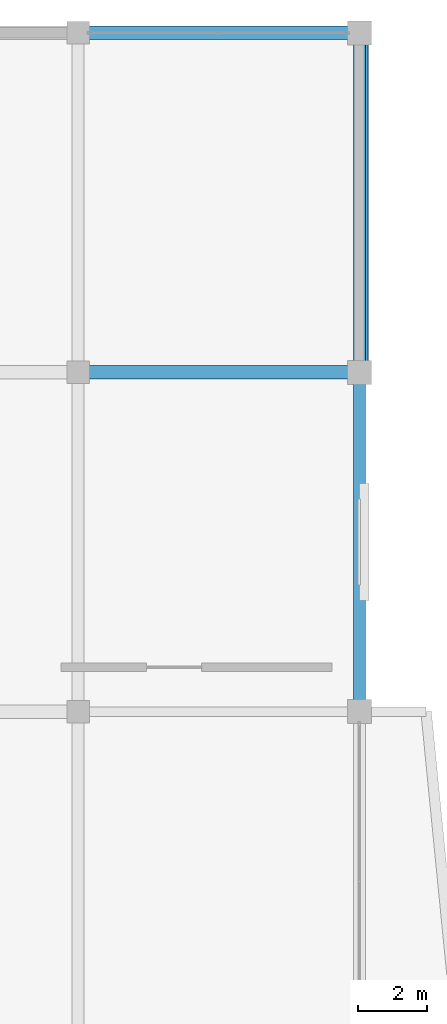
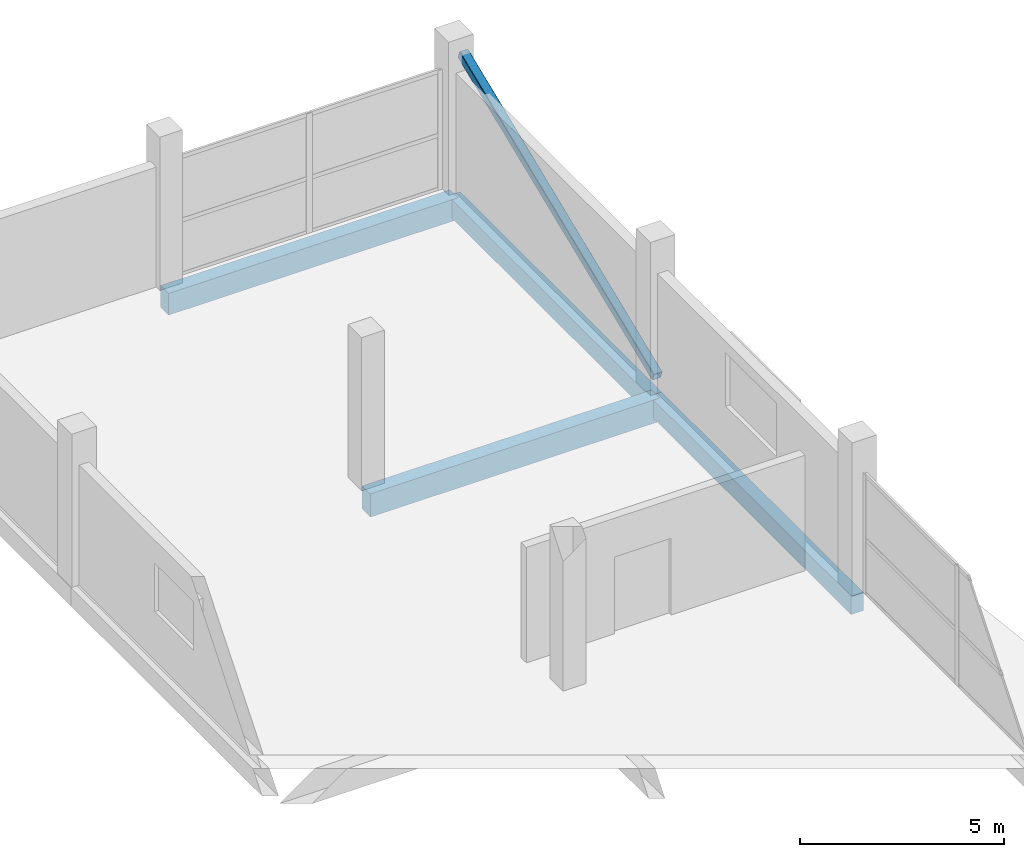
# One storey, part 49 of 69: 4 beams, 1 member.
"""IFC4 building model written with IfcOpenShell, lengths in metres."""

from ifc_helpers import new_model, si_unit, direction, frame, origin, origin_2d, place, context, subcontext, project, spatial, rectangle, hollow_rectangle, extrude, material, material_profile, profile_set, type_object, element, save


model = new_model("IFC4")

# Units and contexts
model_context = context("Model", 3, precision=1e-05, world=origin(), true_north=direction((0.0, 1.0)))
body_context = subcontext(model_context, "Body", "Model", "MODEL_VIEW")
ifc_project = project(units=[si_unit("LENGTHUNIT", "METRE"), si_unit("AREAUNIT", "SQUARE_METRE"), si_unit("VOLUMEUNIT", "CUBIC_METRE"), si_unit("PLANEANGLEUNIT", "RADIAN"), si_unit("MASSUNIT", "GRAM", prefix="KILO")], contexts=[model_context])

# Site, building, storey
site_placement = place(None, origin())
site = spatial("IfcSite", under=ifc_project, at=site_placement, CompositionType="ELEMENT")
building_placement = place(site_placement, origin())
building = spatial("IfcBuilding", under=site, at=building_placement, Name="Sillaruma Civic Art Gallery", CompositionType="ELEMENT")
storey_placement = place(building_placement, frame((0.0, 0.0, 42.330078125)))
storey = spatial("IfcBuildingStorey", under=building, at=storey_placement, Name="L08", CompositionType="ELEMENT", Elevation=42.330078125)

# Beams
ifc_material_1 = material(Name="Concrete H35 (35 MPa)", Category="concrete")
ifc_material_profile_1 = material_profile(ifc_material_1, rectangle(XDim=0.39990234375, YDim=0.699951171875, at=origin_2d()), Name="RCB400x700")
ifc_profile_set_1 = profile_set([ifc_material_profile_1], Name="Concrete H35 (35 MPa)")
beam_type_1 = type_object("IfcBeamType", Name="BM-BEAM-RCB400x700", PredefinedType="BEAM", material=ifc_profile_set_1)
beam_1_placement = place(storey_placement, frame((106.199951171875, 89.10009765625, -0.630126953125), z_axis=(1.0, 0.0, 0.0), x_axis=(0.0, 1.0, 0.0)))
element("IfcBeam", 1, at=beam_1_placement, inside=storey, type_object=beam_type_1, Name="Beam BM-04 (L07:10:M-N)", PredefinedType="BEAM", context=body_context, shape_type="SweptSolid", body=[
    extrude(rectangle(XDim=0.39990234375, YDim=0.699951171875, at=origin_2d()), origin(), (0.0, 0.0, 1.0), 8.199951171875),
])
ifc_material_profile_2 = material_profile(ifc_material_1, rectangle(XDim=0.35009765625, YDim=0.550048828125, at=origin_2d()), Name="RCB350x550")
ifc_profile_set_2 = profile_set([ifc_material_profile_2], Name="Concrete H35 (35 MPa)")
beam_type_2 = type_object("IfcBeamType", Name="BM-SPANDREL-RCB350x550", PredefinedType="SPANDREL", material=ifc_profile_set_2)
beam_2_placement = place(storey_placement, frame((114.39990234375, 79.199951171875, -0.55517578125), z_axis=(0.0, 1.0, 0.0), x_axis=(-1.0, 0.0, 0.0)))
element("IfcBeam", 2, at=beam_2_placement, inside=storey, type_object=beam_type_2, Name="Beam BS-04 (L07:N:9-10)", PredefinedType="SPANDREL", context=body_context, shape_type="SweptSolid", body=[
    extrude(rectangle(XDim=0.35009765625, YDim=0.550048828125, at=origin_2d()), origin(), (0.0, 0.0, 1.0), 9.900146484375),
])
beam_3_placement = place(storey_placement, frame((114.39990234375, 89.10009765625, -0.55517578125), z_axis=(0.0, 1.0, 0.0), x_axis=(-1.0, 0.0, 0.0)))
element("IfcBeam", 3, at=beam_3_placement, inside=storey, type_object=beam_type_2, Name="Beam BS-04 (L07:N:10-11)", PredefinedType="SPANDREL", context=body_context, shape_type="SweptSolid", body=[
    extrude(rectangle(XDim=0.35009765625, YDim=0.550048828125, at=origin_2d()), origin(), (0.0, 0.0, 1.0), 9.89990234375),
])
ifc_material_profile_3 = material_profile(ifc_material_1, rectangle(XDim=0.39990234375, YDim=0.64990234375, at=origin_2d()), Name="RCB400x650")
ifc_profile_set_3 = profile_set([ifc_material_profile_3], Name="Concrete H35 (35 MPa)")
beam_type_3 = type_object("IfcBeamType", Name="BM-SPANDREL-RCB400x650", PredefinedType="SPANDREL", material=ifc_profile_set_3)
beam_4_placement = place(storey_placement, frame((106.199951171875, 99.0, -0.60498046875), z_axis=(1.0, 0.0, 0.0), x_axis=(0.0, 1.0, 0.0)))
element("IfcBeam", 4, at=beam_4_placement, inside=storey, type_object=beam_type_3, Name="Beam BS-02 (L07:11:M-N)", PredefinedType="SPANDREL", context=body_context, shape_type="SweptSolid", body=[
    extrude(rectangle(XDim=0.39990234375, YDim=0.64990234375, at=origin_2d()), origin(), (0.0, 0.0, 1.0), 8.199951171875),
])

# Member
ifc_material_2 = material(Name="Structural Steel ASTM A500 Gr.C", Category="steel")
ifc_material_profile_4 = material_profile(ifc_material_2, hollow_rectangle(XDim=0.25, YDim=0.25, WallThickness=0.012451171875, InnerFilletRadius=0.012451171875, OuterFilletRadius=0.02490234375, at=origin_2d()), Name="HSS250x250x12.5")
ifc_profile_set_4 = profile_set([ifc_material_profile_4], Name="Structural Steel ASTM A500 Gr.C")
member_type = type_object("IfcMemberType", Name="MEM-MEGA-BRACE", PredefinedType="BRACE", material=ifc_profile_set_4)
member_placement = place(storey_placement, frame((114.550048828125, 89.280029296875, 0.099853515625), z_axis=(0.0, 0.925975169428, 0.37758440858), x_axis=(-1.0, 0.0, 0.0)))
element("IfcMember", 5, at=member_placement, inside=storey, type_object=member_type, Name="Exterior Expressed Gallery Seismic Diagonal Brace (L08-EN)", PredefinedType="BRACE", context=body_context, shape_type="SweptSolid", body=[
    extrude(hollow_rectangle(XDim=0.25, YDim=0.25, WallThickness=0.012451171875, InnerFilletRadius=0.012451171875, OuterFilletRadius=0.02490234375, at=origin_2d()), origin(), (0.0, 0.0, 1.0), 10.302734375),
])

save(model, "model.ifc")
